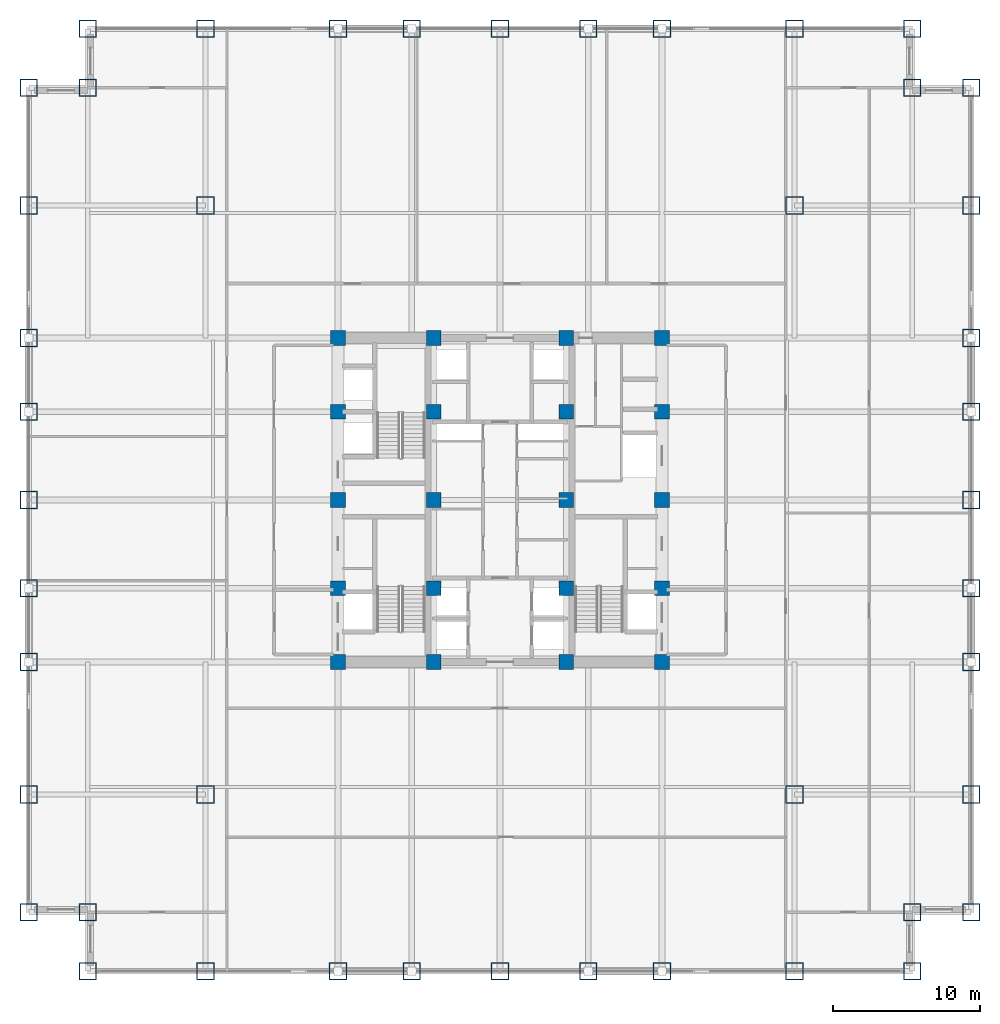
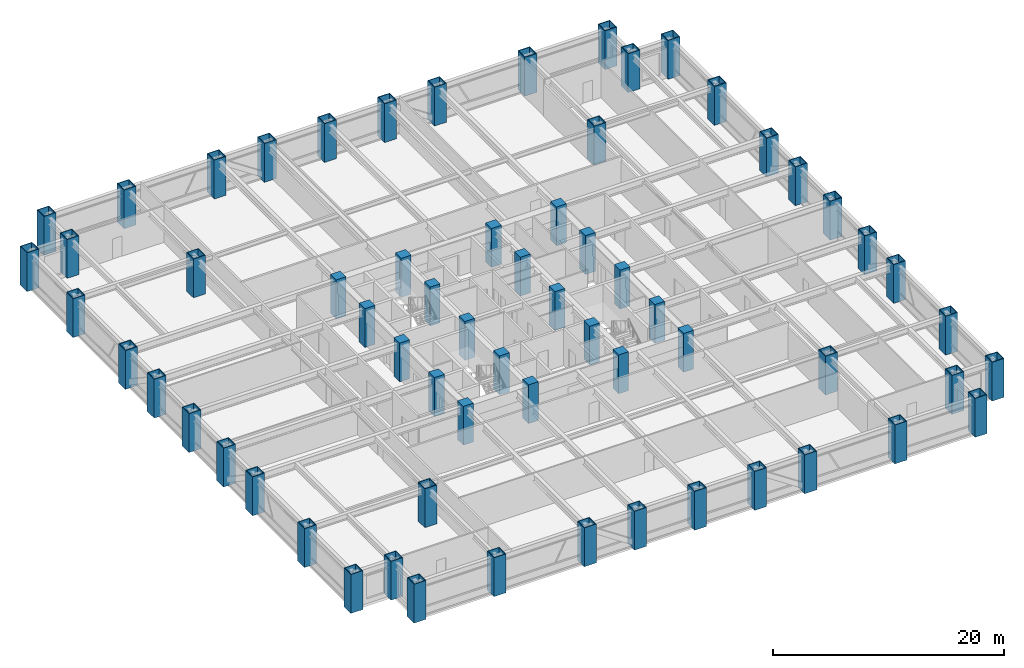
# One storey, part 1 of 28: 64 columns.
"""IFC4 building model written with IfcOpenShell, lengths in metres."""

from ifc_helpers import new_model, si_unit, direction, frame, origin, origin_2d, place, context, subcontext, project, spatial, rectangle, hollow_rectangle, extrude, source, transform, mapped, material, material_profile, profile_set, type_object, element, save


model = new_model("IFC4")

# Units and contexts
model_context = context("Model", 3, precision=1e-05, world=origin(), true_north=direction((0.0, 1.0)))
body_context = subcontext(model_context, "Body", "Model", "MODEL_VIEW")
ifc_project = project(units=[si_unit("LENGTHUNIT", "METRE"), si_unit("AREAUNIT", "SQUARE_METRE"), si_unit("VOLUMEUNIT", "CUBIC_METRE"), si_unit("PLANEANGLEUNIT", "RADIAN"), si_unit("MASSUNIT", "GRAM", prefix="KILO")], contexts=[model_context])

# Site, building, storey
site_placement = place(None, origin())
site = spatial("IfcSite", under=ifc_project, at=site_placement, CompositionType="ELEMENT")
building_placement = place(site_placement, origin())
building = spatial("IfcBuilding", under=site, at=building_placement, Name="Khorayat Bourse Tower", CompositionType="ELEMENT")
storey_placement = place(building_placement, frame((0.0, 0.0, 116.0)))
storey = spatial("IfcBuildingStorey", under=building, at=storey_placement, Name="L26", CompositionType="ELEMENT", Elevation=116.0)

# Columns
ifc_material_1 = material(Name="Steel EN 10025-4 S460M", Category="steel")
ifc_material_profile_1 = material_profile(ifc_material_1, hollow_rectangle(XDim=1.199951171875, YDim=1.199951171875, WallThickness=0.070068359375, at=origin_2d()), Name="BOX 1200x1200x70")
ifc_profile_set_1 = profile_set([ifc_material_profile_1], Name="Steel EN 10025-4 S460M")
column_type_1 = type_object("IfcColumnType", Name="COL-TUBE-1200", PredefinedType="COLUMN", material=ifc_profile_set_1)
shared_shape_1 = source(origin(), body_context, "Body", "SweptSolid", [
    extrude(hollow_rectangle(XDim=1.199951171875, YDim=1.199951171875, WallThickness=0.070068359375, at=origin_2d()), origin(), (0.0, 0.0, 1.0), 4.10009765625),
])
for number, where, z_axis, x_axis, name in (
    (1, (-32.0, -28.0, 0.0), (0.0, 0.0, 1.0), (1.0, 0.0, 0.0), "L26 Column 001"),
    (2, (-32.0, -20.0, 0.0), (0.0, 0.0, 1.0), (1.0, 0.0, 0.0), "L26 Column 002"),
    (3, (-32.0, -11.0, 0.0), (0.0, 0.0, 1.0), (1.0, 0.0, 0.0), "L26 Column 003"),
    (4, (-32.0, -6.0, 0.0), (0.0, 0.0, 1.0), (1.0, 0.0, 0.0), "L26 Column 004"),
    (5, (-32.0, 0.0, 0.0), (0.0, 0.0, 1.0), (1.0, 0.0, 0.0), "L26 Column 005"),
    (6, (-32.0, 6.0, 0.0), (0.0, 0.0, 1.0), (1.0, 0.0, 0.0), "L26 Column 006"),
    (7, (-32.0, 11.0, 0.0), (0.0, 0.0, 1.0), (1.0, 0.0, 0.0), "L26 Column 007"),
    (8, (-32.0, 20.0, 0.0), (0.0, 0.0, 1.0), (1.0, 0.0, 0.0), "L26 Column 008"),
    (9, (-32.0, 28.0, 0.0), (0.0, 0.0, 1.0), (1.0, 0.0, 0.0), "L26 Column 009"),
    (10, (-28.0, -32.0, 0.0), (0.0, 0.0, 1.0), (1.0, 0.0, 0.0), "L26 Column 010"),
    (11, (-28.0, -28.0, 0.0), (0.0, 0.0, 1.0), (1.0, 0.0, 0.0), "L26 Column 011"),
    (12, (-28.0, 28.0, 0.0), (0.0, 0.0, 1.0), (1.0, 0.0, 0.0), "L26 Column 012"),
    (13, (-28.0, 32.0, 0.0), (0.0, 0.0, 1.0), (1.0, 0.0, 0.0), "L26 Column 013"),
    (14, (-20.0, -32.0, 0.0), (0.0, 0.0, 1.0), (1.0, 0.0, 0.0), "L26 Column 014"),
    (15, (-20.0, -20.0, 0.0), (0.0, 0.0, 1.0), (1.0, 0.0, 0.0), "L26 Column 015"),
    (16, (-20.0, 20.0, 0.0), (0.0, 0.0, 1.0), (1.0, 0.0, 0.0), "L26 Column 016"),
    (17, (-20.0, 32.0, 0.0), (0.0, 0.0, 1.0), (1.0, 0.0, 0.0), "L26 Column 017"),
    (18, (-11.0, -32.0, 0.0), (0.0, 0.0, 1.0), (1.0, 0.0, 0.0), "L26 Column 018"),
    (19, (-11.0, 32.0, 0.0), (0.0, 0.0, 1.0), (1.0, 0.0, 0.0), "L26 Column 024"),
    (20, (-6.0, -32.0, 0.0), (0.0, 0.0, 1.0), (1.0, 0.0, 0.0), "L26 Column 025"),
    (21, (-6.0, 32.0, 0.0), (0.0, 0.0, 1.0), (1.0, 0.0, 0.0), "L26 Column 026"),
    (22, (0.0, -32.0, 0.0), (0.0, 0.0, 1.0), (1.0, 0.0, 0.0), "L26 Column 032"),
    (23, (0.0, 32.0, 0.0), (0.0, 0.0, 1.0), (1.0, 0.0, 0.0), "L26 Column 033"),
    (24, (6.0, -32.0, 0.0), (0.0, 0.0, 1.0), (1.0, 0.0, 0.0), "L26 Column 039"),
    (25, (6.0, 32.0, 0.0), (0.0, 0.0, 1.0), (1.0, 0.0, 0.0), "L26 Column 040"),
    (26, (11.0, -32.0, 0.0), (0.0, 0.0, 1.0), (1.0, 0.0, 0.0), "L26 Column 041"),
    (27, (11.0, 32.0, 0.0), (0.0, 0.0, 1.0), (1.0, 0.0, 0.0), "L26 Column 047"),
    (28, (20.0, -32.0, 0.0), (0.0, 0.0, 1.0), (1.0, 0.0, 0.0), "L26 Column 048"),
    (29, (20.0, -20.0, 0.0), (0.0, 0.0, 1.0), (1.0, 0.0, 0.0), "L26 Column 049"),
    (30, (20.0, 20.0, 0.0), (0.0, 0.0, 1.0), (1.0, 0.0, 0.0), "L26 Column 050"),
    (31, (20.0, 32.0, 0.0), (0.0, 0.0, 1.0), (1.0, 0.0, 0.0), "L26 Column 051"),
    (32, (28.0, -32.0, 0.0), (0.0, 0.0, 1.0), (1.0, 0.0, 0.0), "L26 Column 052"),
    (33, (28.0, -28.0, 0.0), (0.0, 0.0, 1.0), (1.0, 0.0, 0.0), "L26 Column 053"),
    (34, (28.0, 28.0, 0.0), (0.0, 0.0, 1.0), (1.0, 0.0, 0.0), "L26 Column 054"),
    (35, (28.0, 32.0, 0.0), (0.0, 0.0, 1.0), (1.0, 0.0, 0.0), "L26 Column 055"),
    (36, (32.0, -28.0, 0.0), (0.0, 0.0, 1.0), (1.0, 0.0, 0.0), "L26 Column 056"),
    (37, (32.0, -20.0, 0.0), (0.0, 0.0, 1.0), (1.0, 0.0, 0.0), "L26 Column 057"),
    (38, (32.0, -11.0, 0.0), (0.0, 0.0, 1.0), (1.0, 0.0, 0.0), "L26 Column 058"),
    (39, (32.0, -6.0, 0.0), (0.0, 0.0, 1.0), (1.0, 0.0, 0.0), "L26 Column 059"),
    (40, (32.0, 0.0, 0.0), (0.0, 0.0, 1.0), (1.0, 0.0, 0.0), "L26 Column 060"),
    (41, (32.0, 6.0, 0.0), (0.0, 0.0, 1.0), (1.0, 0.0, 0.0), "L26 Column 061"),
    (42, (32.0, 11.0, 0.0), (0.0, 0.0, 1.0), (1.0, 0.0, 0.0), "L26 Column 062"),
    (43, (32.0, 20.0, 0.0), (0.0, 0.0, 1.0), (1.0, 0.0, 0.0), "L26 Column 063"),
    (44, (32.0, 28.0, 0.0), (0.0, 0.0, 1.0), (1.0, 0.0, 0.0), "L26 Column 064"),
):
    element("IfcColumn", number, at=place(storey_placement, frame(where, z_axis=z_axis, x_axis=x_axis)), inside=storey, type_object=column_type_1, Name=name, PredefinedType="COLUMN", context=body_context, shape_type="MappedRepresentation", body=[
        mapped(shared_shape_1, transform((0.0, 0.0, 0.0), scale=1.0)),
    ])
ifc_material_2 = material(Name="Concrete C72/90", Category="concrete")
ifc_material_profile_2 = material_profile(ifc_material_2, rectangle(XDim=1.0, YDim=1.0, at=origin_2d()), Name="RC 1000x1000")
ifc_profile_set_2 = profile_set([ifc_material_profile_2], Name="Concrete C72/90")
column_type_2 = type_object("IfcColumnType", Name="COL-CORE-1000", PredefinedType="COLUMN", material=ifc_profile_set_2)
shared_shape_2 = source(origin(), body_context, "Body", "SweptSolid", [
    extrude(rectangle(XDim=1.0, YDim=1.0, at=origin_2d()), origin(), (0.0, 0.0, 1.0), 4.10009765625),
])
for number, where, z_axis, x_axis, name in (
    (45, (-11.0, -11.0, 0.0), (0.0, 0.0, 1.0), (1.0, 0.0, 0.0), "L26 Column 019"),
    (46, (-11.0, -6.0, 0.0), (0.0, 0.0, 1.0), (1.0, 0.0, 0.0), "L26 Column 020"),
    (47, (-11.0, 0.0, 0.0), (0.0, 0.0, 1.0), (1.0, 0.0, 0.0), "L26 Column 021"),
    (48, (-11.0, 6.0, 0.0), (0.0, 0.0, 1.0), (1.0, 0.0, 0.0), "L26 Column 022"),
    (49, (-11.0, 11.0, 0.0), (0.0, 0.0, 1.0), (1.0, 0.0, 0.0), "L26 Column 023"),
    (50, (-4.5, -11.0, 0.0), (0.0, 0.0, 1.0), (1.0, 0.0, 0.0), "L26 Column 027"),
    (51, (-4.5, -6.0, 0.0), (0.0, 0.0, 1.0), (1.0, 0.0, 0.0), "L26 Column 028"),
    (52, (-4.5, 0.0, 0.0), (0.0, 0.0, 1.0), (1.0, 0.0, 0.0), "L26 Column 029"),
    (53, (-4.5, 6.0, 0.0), (0.0, 0.0, 1.0), (1.0, 0.0, 0.0), "L26 Column 030"),
    (54, (-4.5, 11.0, 0.0), (0.0, 0.0, 1.0), (1.0, 0.0, 0.0), "L26 Column 031"),
    (55, (4.5, -11.0, 0.0), (0.0, 0.0, 1.0), (1.0, 0.0, 0.0), "L26 Column 034"),
    (56, (4.5, -6.0, 0.0), (0.0, 0.0, 1.0), (1.0, 0.0, 0.0), "L26 Column 035"),
    (57, (4.5, 0.0, 0.0), (0.0, 0.0, 1.0), (1.0, 0.0, 0.0), "L26 Column 036"),
    (58, (4.5, 6.0, 0.0), (0.0, 0.0, 1.0), (1.0, 0.0, 0.0), "L26 Column 037"),
    (59, (4.5, 11.0, 0.0), (0.0, 0.0, 1.0), (1.0, 0.0, 0.0), "L26 Column 038"),
    (60, (11.0, -11.0, 0.0), (0.0, 0.0, 1.0), (1.0, 0.0, 0.0), "L26 Column 042"),
    (61, (11.0, -6.0, 0.0), (0.0, 0.0, 1.0), (1.0, 0.0, 0.0), "L26 Column 043"),
    (62, (11.0, 0.0, 0.0), (0.0, 0.0, 1.0), (1.0, 0.0, 0.0), "L26 Column 044"),
    (63, (11.0, 6.0, 0.0), (0.0, 0.0, 1.0), (1.0, 0.0, 0.0), "L26 Column 045"),
    (64, (11.0, 11.0, 0.0), (0.0, 0.0, 1.0), (1.0, 0.0, 0.0), "L26 Column 046"),
):
    element("IfcColumn", number, at=place(storey_placement, frame(where, z_axis=z_axis, x_axis=x_axis)), inside=storey, type_object=column_type_2, Name=name, PredefinedType="COLUMN", context=body_context, shape_type="MappedRepresentation", body=[
        mapped(shared_shape_2, transform((0.0, 0.0, 0.0), scale=1.0)),
    ])

save(model, "model.ifc")
